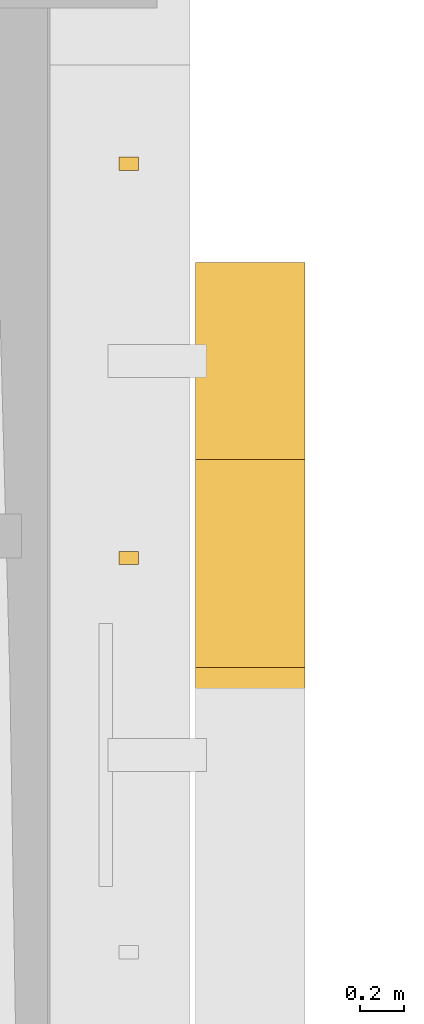
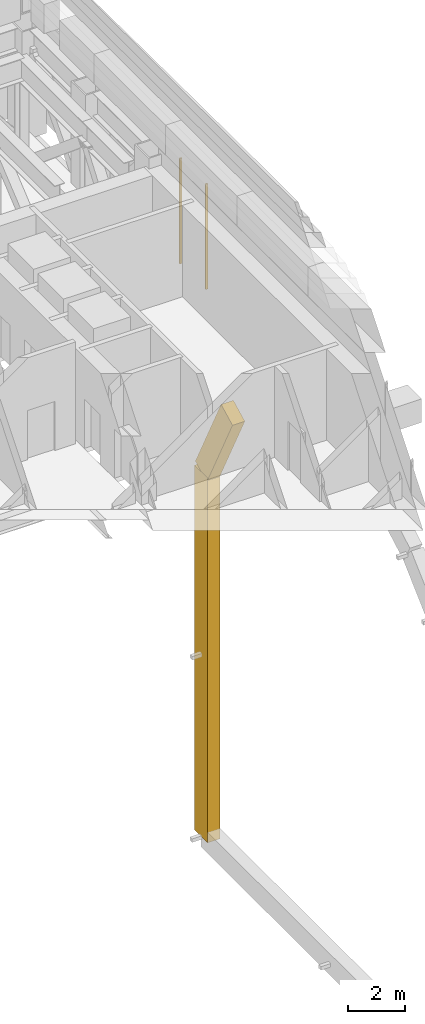
# One storey, part 37 of 39: 4 coverings.
"""IFC4 building model written with IfcOpenShell, lengths in metres."""

from ifc_helpers import new_model, si_unit, direction, frame, origin, origin_2d, place, context, subcontext, project, spatial, rectangle, extrude, material, material_profile, profile_set, type_object, element, save


model = new_model("IFC4")

# Units and contexts
model_context = context("Model", 3, precision=1e-05, world=origin(), true_north=direction((0.0, 1.0)))
body_context = subcontext(model_context, "Body", "Model", "MODEL_VIEW")
ifc_project = project(units=[si_unit("LENGTHUNIT", "METRE"), si_unit("AREAUNIT", "SQUARE_METRE"), si_unit("VOLUMEUNIT", "CUBIC_METRE"), si_unit("PLANEANGLEUNIT", "RADIAN"), si_unit("MASSUNIT", "GRAM", prefix="KILO")], contexts=[model_context])

# Site, building, storey
site_placement = place(None, origin())
site = spatial("IfcSite", under=ifc_project, at=site_placement, CompositionType="ELEMENT")
building_placement = place(site_placement, origin())
building = spatial("IfcBuilding", under=site, at=building_placement, Name="Cobrizo Arcos Hotel Tower", CompositionType="ELEMENT")
storey_placement = place(building_placement, frame((0.0, 0.0, 84.5)))
storey = spatial("IfcBuildingStorey", under=building, at=storey_placement, Name="L20", CompositionType="ELEMENT", Elevation=84.5)

# Coverings
ifc_material = material(Name="Aluminium 6063-T6 anodised pale", Category="aluminium")
ifc_material_profile = material_profile(ifc_material, rectangle(XDim=0.5, YDim=0.89990234375, at=origin_2d()), Name="AF-2 core arch rim 500x900")
ifc_profile_set = profile_set([ifc_material_profile], Name="Aluminium 6063-T6 anodised pale")
covering_type_1 = type_object("IfcCoveringType", Name="AF-2 core arch rim 500x900", PredefinedType="CLADDING", material=ifc_profile_set)
covering_1_placement = place(storey_placement, frame((24.925048828125, 7.199951171875, -4.9462890625), z_axis=(0.0, 0.455923660176, -0.890018885245), x_axis=(-1.0, 0.0, 0.0)))
element("IfcCovering", 1, at=covering_1_placement, inside=storey, type_object=covering_type_1, Name="Arch rim A E face", PredefinedType="CLADDING", context=body_context, shape_type="SweptSolid", body=[
    extrude(rectangle(XDim=0.5, YDim=0.89990234375, at=origin_2d()), origin(), (0.0, 0.0, 1.0), 3.9482421875),
])
covering_2_placement = place(storey_placement, frame((24.925048828125, 9.0, -24.050048828125), z_axis=(0.0, 0.0, 1.0), x_axis=(1.0, 0.0, 0.0)))
element("IfcCovering", 2, at=covering_2_placement, inside=storey, type_object=covering_type_1, Name="Arch rim A E face", PredefinedType="CLADDING", context=body_context, shape_type="SweptSolid", body=[
    extrude(rectangle(XDim=0.5, YDim=0.89990234375, at=origin_2d()), origin(), (0.0, 0.0, 1.0), 15.58984375),
])
covering_type_2 = type_object("IfcCoveringType", Name="RS-1 rainscreen rib 60x90", PredefinedType="CLADDING", material=ifc_material)
for number, where, z_axis, x_axis, name in (
    (3, (24.3701171875, 8.10009765625, 0.0), (0.0, 0.0, 1.0), (0.0, 1.0, 0.0), "Rainscreen rib 29"),
    (4, (24.3701171875, 9.89990234375, 0.0), (0.0, 0.0, 1.0), (0.0, 1.0, 0.0), "Rainscreen rib 30"),
):
    element("IfcCovering", number, at=place(storey_placement, frame(where, z_axis=z_axis, x_axis=x_axis)), inside=storey, type_object=covering_type_2, Name=name, PredefinedType="CLADDING", context=body_context, shape_type="SweptSolid", body=[
        extrude(rectangle(XDim=0.06005859375, YDim=0.090087890625, at=origin_2d()), origin(), (0.0, 0.0, 1.0), 4.5),
    ])

save(model, "model.ifc")
